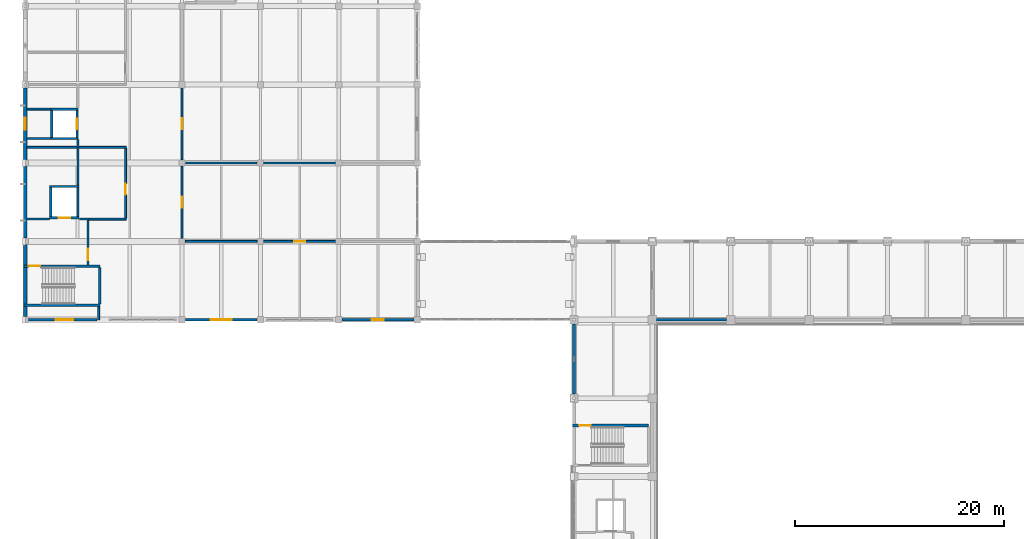
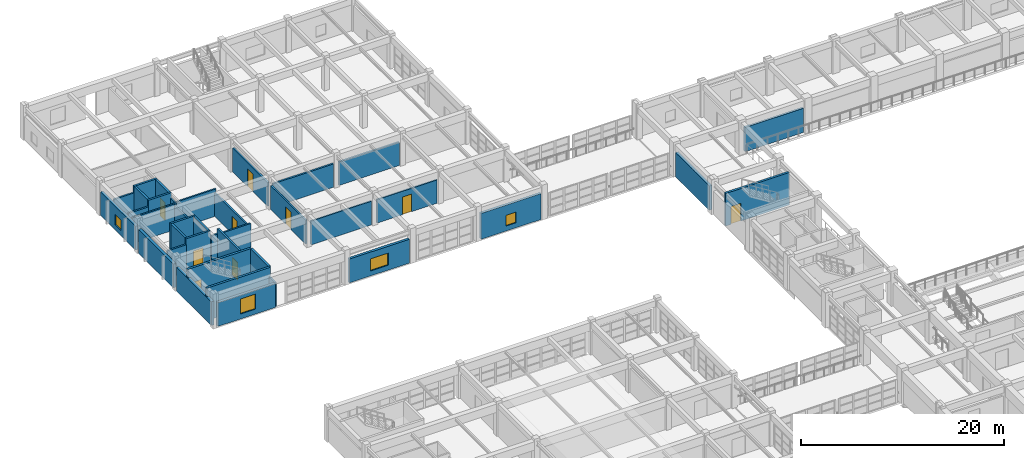
# One storey, part 96 of 124: 38 walls, 9 doors, 4 windows, 13 openings.
"""IFC4 building model written with IfcOpenShell, lengths in metres."""

from ifc_helpers import new_model, si_unit, direction, frame, frame_2d, origin, place, context, subcontext, project, spatial, rectangle, extrude, material, layer, layer_set, type_object, element, fill, save


model = new_model("IFC4")

# Units and contexts
model_context = context("Model", 3, precision=1e-05, world=origin(), true_north=direction((0.0, 1.0)))
body_context = subcontext(model_context, "Body", "Model", "MODEL_VIEW")
ifc_project = project(units=[si_unit("LENGTHUNIT", "METRE"), si_unit("AREAUNIT", "SQUARE_METRE"), si_unit("VOLUMEUNIT", "CUBIC_METRE"), si_unit("PLANEANGLEUNIT", "RADIAN"), si_unit("MASSUNIT", "GRAM", prefix="KILO")], contexts=[model_context])

# Site, building, storey
site_placement = place(None, origin())
site = spatial("IfcSite", under=ifc_project, at=site_placement, CompositionType="ELEMENT")
building_placement = place(site_placement, origin())
building = spatial("IfcBuilding", under=site, at=building_placement, Name="Qasida Concert Hall", CompositionType="ELEMENT")
storey_placement = place(building_placement, frame((0.0, 0.0, 9.0)))
storey = spatial("IfcBuildingStorey", under=building, at=storey_placement, Name="L02", CompositionType="ELEMENT", Elevation=9.0)

# Walls
ifc_material_1 = material(Name="Concrete C40/50", Category="concrete")
ifc_layer_1 = layer(ifc_material_1, 0.219970703125, Name="Concrete C40/50")
ifc_layer_set_1 = layer_set([ifc_layer_1], Name="Concrete C40/50")
wall_type_1 = type_object("IfcWallType", Name="WL-CW-220", PredefinedType="SOLIDWALL", material=ifc_layer_set_1)
for number, where, z_axis, x_axis, name in (
    (1, (2.43994140625, 92.35009765625, 0.0), (0.0, 0.0, 1.0), (1.0, 0.0, 0.0), "L02 LF-07 lift shaft wall S"),
    (2, (2.43994140625, 95.14990234375, 0.0), (0.0, 0.0, 1.0), (1.0, 0.0, 0.0), "L02 LF-07 lift shaft wall N"),
):
    element("IfcWall", number, at=place(storey_placement, frame(where, z_axis=z_axis, x_axis=x_axis)), inside=storey, type_object=wall_type_1, Name=name, PredefinedType="SOLIDWALL", context=body_context, shape_type="SweptSolid", body=[
        extrude(rectangle(XDim=2.6201171875, YDim=0.219970703125, at=frame_2d((1.31005859375, 0.0))), origin(), (0.0, 0.0, 1.0), 3.919921875),
    ])
wall_1_placement = place(storey_placement, frame((2.550048828125, 92.4599609375, 0.0), z_axis=(0.0, 0.0, 1.0), x_axis=(0.0, 1.0, 0.0)))
element("IfcWall", 3, at=wall_1_placement, inside=storey, type_object=wall_type_1, Name="L02 LF-07 lift shaft wall W", PredefinedType="SOLIDWALL", context=body_context, shape_type="SweptSolid", body=[
    extrude(rectangle(XDim=2.580078125, YDim=0.219970703125, at=frame_2d((1.2900390625, 0.0))), origin(), (0.0, 0.0, 1.0), 3.919921875),
])

# Wall, opening, door
wall_2_placement = place(storey_placement, frame((4.949951171875, 92.4599609375, 0.0), z_axis=(0.0, 0.0, 1.0), x_axis=(0.0, 1.0, 0.0)))
wall_2 = element("IfcWall", 4, at=wall_2_placement, inside=storey, type_object=wall_type_1, Name="L02 LF-07 lift shaft wall E", PredefinedType="SOLIDWALL", context=body_context, shape_type="SweptSolid", body=[
    extrude(rectangle(XDim=2.580078125, YDim=0.219970703125, at=frame_2d((1.2900390625, 0.0))), origin(), (0.0, 0.0, 1.0), 3.919921875),
])
opening_1_placement = place(wall_2_placement, frame((0.7900390625, 0.0, 0.0)))
opening_1 = element("IfcOpeningElement", 5, at=opening_1_placement, cuts=wall_2, Name="Opening LD-100", PredefinedType="OPENING", context=body_context, shape_type="SweptSolid", body=[
    extrude(rectangle(XDim=1.0, YDim=2.14990234375, at=frame_2d((0.5, 1.074951171875))), frame((0.0, 0.119873046875, 0.0), z_axis=(0.0, -1.0, 0.0), x_axis=(1.0, 0.0, 0.0)), (0.0, 0.0, 1.0), 0.239990234375),
])
ifc_material_2 = material(Name="Brushed bronze passenger lift landing door", Category="steel")
door_type_1 = type_object("IfcDoorType", Name="LD-100", OperationType="SLIDING_TO_LEFT", PredefinedType="DOOR", material=ifc_material_2)
door_1_placement = place(opening_1_placement, origin())
door_1 = element("IfcDoor", 6, at=door_1_placement, inside=storey, type_object=door_type_1, Name="Lift landing door LF-07 L02", OperationType="SLIDING_TO_LEFT", OverallHeight=2.14990234375, OverallWidth=1.0, PredefinedType="DOOR", context=body_context, shape_type="SweptSolid", body=[
    extrude(rectangle(XDim=1.0, YDim=2.14990234375, at=frame_2d((0.5, 1.074951171875))), frame((0.0, 0.02490234375, 0.0), z_axis=(0.0, -1.0, 0.0), x_axis=(1.0, 0.0, 0.0)), (0.0, 0.0, 1.0), 0.050048828125),
])
fill(opening_1, door_1)

wall_3_placement = place(storey_placement, frame((2.340087890625, 84.75, 0.0), z_axis=(0.0, 0.0, 1.0), x_axis=(1.0, 0.0, 0.0)))
wall_3 = element("IfcWall", 7, at=wall_3_placement, inside=storey, type_object=wall_type_1, Name="L02 LF-08 lift shaft wall S", PredefinedType="SOLIDWALL", context=body_context, shape_type="SweptSolid", body=[
    extrude(rectangle(XDim=2.81982421875, YDim=0.219970703125, at=frame_2d((1.409912109375, 0.0))), origin(), (0.0, 0.0, 1.0), 3.919921875),
])
opening_2_placement = place(wall_3_placement, frame((0.860107421875, 0.0, 0.0)))
opening_2 = element("IfcOpeningElement", 8, at=opening_2_placement, cuts=wall_3, Name="Opening LD-110", PredefinedType="OPENING", context=body_context, shape_type="SweptSolid", body=[
    extrude(rectangle(XDim=1.10009765625, YDim=2.14990234375, at=frame_2d((0.550048828125, 1.074951171875))), frame((0.0, 0.119873046875, 0.0), z_axis=(0.0, -1.0, 0.0), x_axis=(1.0, 0.0, 0.0)), (0.0, 0.0, 1.0), 0.239990234375),
])
ifc_material_3 = material(Name="Firefighting lift sliding landing door", Category="steel")
door_type_2 = type_object("IfcDoorType", Name="LD-110", OperationType="SLIDING_TO_LEFT", PredefinedType="DOOR", material=ifc_material_3)
door_2_placement = place(opening_2_placement, origin())
door_2 = element("IfcDoor", 9, at=door_2_placement, inside=storey, type_object=door_type_2, Name="Lift landing door LF-08 L02", OperationType="SLIDING_TO_LEFT", OverallHeight=2.14990234375, OverallWidth=1.10009765625, PredefinedType="DOOR", context=body_context, shape_type="SweptSolid", body=[
    extrude(rectangle(XDim=1.10009765625, YDim=2.14990234375, at=frame_2d((0.550048828125, 1.074951171875))), frame((0.0, 0.02490234375, 0.0), z_axis=(0.0, -1.0, 0.0), x_axis=(1.0, 0.0, 0.0)), (0.0, 0.0, 1.0), 0.050048828125),
])
fill(opening_2, door_2)

# Walls
wall_4_placement = place(storey_placement, frame((2.340087890625, 87.75, 0.0), z_axis=(0.0, 0.0, 1.0), x_axis=(1.0, 0.0, 0.0)))
element("IfcWall", 10, at=wall_4_placement, inside=storey, type_object=wall_type_1, Name="L02 LF-08 lift shaft wall N", PredefinedType="SOLIDWALL", context=body_context, shape_type="SweptSolid", body=[
    extrude(rectangle(XDim=2.81982421875, YDim=0.219970703125, at=frame_2d((1.409912109375, 0.0))), origin(), (0.0, 0.0, 1.0), 3.919921875),
])
for number, where, z_axis, x_axis, name in (
    (11, (2.449951171875, 84.860107421875, 0.0), (0.0, 0.0, 1.0), (0.0, 1.0, 0.0), "L02 LF-08 lift shaft wall W"),
    (12, (5.050048828125, 84.860107421875, 0.0), (0.0, 0.0, 1.0), (0.0, 1.0, 0.0), "L02 LF-08 lift shaft wall E"),
):
    element("IfcWall", number, at=place(storey_placement, frame(where, z_axis=z_axis, x_axis=x_axis)), inside=storey, type_object=wall_type_1, Name=name, PredefinedType="SOLIDWALL", context=body_context, shape_type="SweptSolid", body=[
        extrude(rectangle(XDim=2.77978515625, YDim=0.219970703125, at=frame_2d((1.389892578125, 0.0))), origin(), (0.0, 0.0, 1.0), 3.919921875),
    ])

# Wall, opening, door
wall_5_placement = place(storey_placement, frame((6.0, 80.260009765625, 0.0), z_axis=(0.0, 0.0, 1.0), x_axis=(0.0, 1.0, 0.0)))
wall_5 = element("IfcWall", 13, at=wall_5_placement, inside=storey, type_object=wall_type_1, Name="L02 LF-08 firefighting lobby wall", PredefinedType="SOLIDWALL", context=body_context, shape_type="SweptSolid", body=[
    extrude(rectangle(XDim=4.369873046875, YDim=0.219970703125, at=frame_2d((2.18505859375, 0.0))), origin(), (0.0, 0.0, 1.0), 3.919921875),
])
opening_3_placement = place(wall_5_placement, frame((0.449951171875, 0.0, 0.0)))
opening_3 = element("IfcOpeningElement", 14, at=opening_3_placement, cuts=wall_5, Name="Opening FD-110", PredefinedType="OPENING", context=body_context, shape_type="SweptSolid", body=[
    extrude(rectangle(XDim=1.10009765625, YDim=2.14990234375, at=frame_2d((0.550048828125, 1.074951171875))), frame((0.0, 0.119873046875, 0.0), z_axis=(0.0, -1.0, 0.0), x_axis=(1.0, 0.0, 0.0)), (0.0, 0.0, 1.0), 0.239990234375),
])
ifc_material_4 = material(Name="Steel fire-rated stair/lobby door set", Category="steel")
door_type_3 = type_object("IfcDoorType", Name="FD-110", OperationType="NOTDEFINED", PredefinedType="DOOR", material=ifc_material_4)
door_3_placement = place(opening_3_placement, origin())
door_3 = element("IfcDoor", 15, at=door_3_placement, inside=storey, type_object=door_type_3, Name="L02 LF-08 firefighting lobby fire door", OperationType="SINGLE_SWING_LEFT", OverallHeight=2.14990234375, OverallWidth=1.10009765625, PredefinedType="DOOR", context=body_context, shape_type="SweptSolid", body=[
    extrude(rectangle(XDim=1.10009765625, YDim=2.14990234375, at=frame_2d((0.550048828125, 1.074951171875))), frame((0.0, 0.02490234375, 0.0), z_axis=(0.0, -1.0, 0.0), x_axis=(1.0, 0.0, 0.0)), (0.0, 0.0, 1.0), 0.050048828125),
])
fill(opening_3, door_3)

# Wall
ifc_layer_2 = layer(ifc_material_1, 0.25, Name="Concrete C40/50")
ifc_layer_set_2 = layer_set([ifc_layer_2], Name="Concrete C40/50")
wall_type_2 = type_object("IfcWallType", Name="WL-CW-250", PredefinedType="SOLIDWALL", material=ifc_layer_set_2)
wall_6_placement = place(storey_placement, frame((-0.1201171875, 76.375, 0.0), z_axis=(0.0, 0.0, 1.0), x_axis=(1.0, 0.0, 0.0)))
element("IfcWall", 16, at=wall_6_placement, inside=storey, type_object=wall_type_2, Name="L02 ST-05 stairwell wall S", PredefinedType="SOLIDWALL", context=body_context, shape_type="SweptSolid", body=[
    extrude(rectangle(XDim=7.260009765625, YDim=0.25, at=frame_2d((3.6298828125, 0.0))), origin(), (0.0, 0.0, 1.0), 3.919921875),
])

# Wall, opening, door
wall_7_placement = place(storey_placement, frame((-0.1201171875, 80.125, 0.0), z_axis=(0.0, 0.0, 1.0), x_axis=(1.0, 0.0, 0.0)))
wall_7 = element("IfcWall", 17, at=wall_7_placement, inside=storey, type_object=wall_type_2, Name="L02 ST-05 stairwell wall N", PredefinedType="SOLIDWALL", context=body_context, shape_type="SweptSolid", body=[
    extrude(rectangle(XDim=7.260009765625, YDim=0.25, at=frame_2d((3.6298828125, 0.0))), origin(), (0.0, 0.0, 1.0), 3.919921875),
])
opening_4_placement = place(wall_7_placement, frame((0.449951171875, 0.0, 0.0)))
opening_4 = element("IfcOpeningElement", 18, at=opening_4_placement, cuts=wall_7, Name="Opening FD-110", PredefinedType="OPENING", context=body_context, shape_type="SweptSolid", body=[
    extrude(rectangle(XDim=1.10009765625, YDim=2.14990234375, at=frame_2d((0.550048828125, 1.074951171875))), frame((0.0, 0.135009765625, 0.0), z_axis=(0.0, -1.0, 0.0), x_axis=(1.0, 0.0, 0.0)), (0.0, 0.0, 1.0), 0.27001953125),
])
door_4_placement = place(opening_4_placement, origin())
door_4 = element("IfcDoor", 19, at=door_4_placement, inside=storey, type_object=door_type_3, Name="L02 ST-05 rated stair door", OperationType="SINGLE_SWING_RIGHT", OverallHeight=2.14990234375, OverallWidth=1.10009765625, PredefinedType="DOOR", context=body_context, shape_type="SweptSolid", body=[
    extrude(rectangle(XDim=1.10009765625, YDim=2.14990234375, at=frame_2d((0.550048828125, 1.074951171875))), frame((0.0, 0.02490234375, 0.0), z_axis=(0.0, -1.0, 0.0), x_axis=(1.0, 0.0, 0.0)), (0.0, 0.0, 1.0), 0.050048828125),
])
fill(opening_4, door_4)

# Wall
wall_8_placement = place(storey_placement, frame((7.14501953125, 76.5, 0.0), z_axis=(0.0, 0.0, 1.0), x_axis=(0.0, 1.0, 0.0)))
element("IfcWall", 20, at=wall_8_placement, inside=storey, type_object=wall_type_2, Name="L02 ST-05 stairwell wall E", PredefinedType="SOLIDWALL", context=body_context, shape_type="SweptSolid", body=[
    extrude(rectangle(XDim=3.5, YDim=0.25, at=frame_2d((1.75, 0.0))), origin(), (0.0, 0.0, 1.0), 3.919921875),
])

# Wall, opening, door
wall_9_placement = place(storey_placement, frame((52.3798828125, 64.885009765625, 0.0), z_axis=(0.0, 0.0, 1.0), x_axis=(1.0, 0.0, 0.0)))
wall_9 = element("IfcWall", 21, at=wall_9_placement, inside=storey, type_object=wall_type_2, Name="L02 ST-11 stairwell wall N", PredefinedType="SOLIDWALL", context=body_context, shape_type="SweptSolid", body=[
    extrude(rectangle(XDim=7.260009765625, YDim=0.25, at=frame_2d((3.6298828125, 0.0))), origin(), (0.0, 0.0, 1.0), 3.919921875),
])
opening_5_placement = place(wall_9_placement, frame((0.6201171875, 0.0, 0.0)))
opening_5 = element("IfcOpeningElement", 22, at=opening_5_placement, cuts=wall_9, Name="Opening FD-110", PredefinedType="OPENING", context=body_context, shape_type="SweptSolid", body=[
    extrude(rectangle(XDim=1.10009765625, YDim=2.14990234375, at=frame_2d((0.550048828125, 1.074951171875))), frame((0.0, 0.135009765625, 0.0), z_axis=(0.0, -1.0, 0.0), x_axis=(1.0, 0.0, 0.0)), (0.0, 0.0, 1.0), 0.27001953125),
])
door_5_placement = place(opening_5_placement, frame((1.10009765625, 0.0, 0.0), z_axis=(0.0, 0.0, 1.0), x_axis=(-1.0, 0.0, 0.0)))
door_5 = element("IfcDoor", 23, at=door_5_placement, inside=storey, type_object=door_type_3, Name="L02 ST-11 rated stair door", OperationType="SINGLE_SWING_RIGHT", OverallHeight=2.14990234375, OverallWidth=1.10009765625, PredefinedType="DOOR", context=body_context, shape_type="SweptSolid", body=[
    extrude(rectangle(XDim=1.10009765625, YDim=2.14990234375, at=frame_2d((0.550048828125, 1.074951171875))), frame((0.0, 0.02490234375, 0.0), z_axis=(0.0, -1.0, 0.0), x_axis=(1.0, 0.0, 0.0)), (0.0, 0.0, 1.0), 0.050048828125),
])
fill(opening_5, door_5)

# Wall, opening, window
ifc_material_5 = material(Name="Precast concrete C40/50", Category="concrete")
ifc_layer_3 = layer(ifc_material_5, 0.280029296875, Name="Precast concrete C40/50")
ifc_layer_set_3 = layer_set([ifc_layer_3], Name="Precast concrete C40/50")
wall_type_3 = type_object("IfcWallType", Name="WL-EW-280", PredefinedType="SOLIDWALL", material=ifc_layer_set_3)
wall_10_placement = place(storey_placement, frame((0.31494140625, 75.0, 0.0), z_axis=(0.0, 0.0, 1.0), x_axis=(1.0, 0.0, 0.0)))
wall_10 = element("IfcWall", 24, at=wall_10_placement, inside=storey, type_object=wall_type_3, Name="L02 exterior wall EW-280 0260", PredefinedType="SOLIDWALL", context=body_context, shape_type="SweptSolid", body=[
    extrude(rectangle(XDim=6.56494140625, YDim=0.280029296875, at=frame_2d((3.282470703125, 0.0))), origin(), (0.0, 0.0, 1.0), 2.8701171875),
])
opening_6_placement = place(wall_10_placement, frame((2.5849609375, 0.0, 0.60009765625)))
opening_6 = element("IfcOpeningElement", 25, at=opening_6_placement, cuts=wall_10, Name="Opening WN-05", PredefinedType="OPENING", context=body_context, shape_type="SweptSolid", body=[
    extrude(rectangle(XDim=1.699951171875, YDim=1.800048828125, at=frame_2d((0.85009765625, 0.89990234375))), frame((0.0, 0.14990234375, 0.0), z_axis=(0.0, -1.0, 0.0), x_axis=(1.0, 0.0, 0.0)), (0.0, 0.0, 1.0), 0.300048828125),
])
ifc_material_6 = material(Name="Bronze-anodized aluminium frame with acoustic low-E glazing", Category="aluminium")
window_type_1 = type_object("IfcWindowType", Name="WN-05", PartitioningType="SINGLE_PANEL", PredefinedType="WINDOW", material=ifc_material_6)
window_1_placement = place(opening_6_placement, origin())
window_1 = element("IfcWindow", 26, at=window_1_placement, inside=storey, type_object=window_type_1, Name="L02 window WN-05 0134", OverallHeight=1.800048828125, OverallWidth=1.699951171875, PartitioningType="SINGLE_PANEL", PredefinedType="WINDOW", context=body_context, shape_type="SweptSolid", body=[
    extrude(rectangle(XDim=1.699951171875, YDim=1.800048828125, at=frame_2d((0.85009765625, 0.89990234375))), frame((0.0, 0.030029296875, 0.0), z_axis=(0.0, -1.0, 0.0), x_axis=(1.0, 0.0, 0.0)), (0.0, 0.0, 1.0), 0.06005859375),
])
fill(opening_6, window_1)

wall_11_placement = place(storey_placement, frame((15.31494140625, 75.0, 0.0), z_axis=(0.0, 0.0, 1.0), x_axis=(1.0, 0.0, 0.0)))
wall_11 = element("IfcWall", 27, at=wall_11_placement, inside=storey, type_object=wall_type_3, Name="L02 exterior wall EW-280 0263", PredefinedType="SOLIDWALL", context=body_context, shape_type="SweptSolid", body=[
    extrude(rectangle(XDim=6.8701171875, YDim=0.280029296875, at=frame_2d((3.43505859375, 0.0))), origin(), (0.0, 0.0, 1.0), 2.8701171875),
])
opening_7_placement = place(wall_11_placement, frame((2.43505859375, 0.0, 0.60009765625)))
opening_7 = element("IfcOpeningElement", 28, at=opening_7_placement, cuts=wall_11, Name="Opening WN-07", PredefinedType="OPENING", context=body_context, shape_type="SweptSolid", body=[
    extrude(rectangle(XDim=2.0, YDim=1.449951171875, at=frame_2d((1.0, 0.72509765625))), frame((0.0, 0.14990234375, 0.0), z_axis=(0.0, -1.0, 0.0), x_axis=(1.0, 0.0, 0.0)), (0.0, 0.0, 1.0), 0.300048828125),
])
window_type_2 = type_object("IfcWindowType", Name="WN-07", PartitioningType="SINGLE_PANEL", PredefinedType="WINDOW", material=ifc_material_6)
window_2_placement = place(opening_7_placement, origin())
window_2 = element("IfcWindow", 29, at=window_2_placement, inside=storey, type_object=window_type_2, Name="L02 window WN-07 0136", OverallHeight=1.449951171875, OverallWidth=2.0, PartitioningType="SINGLE_PANEL", PredefinedType="WINDOW", context=body_context, shape_type="SweptSolid", body=[
    extrude(rectangle(XDim=2.0, YDim=1.449951171875, at=frame_2d((1.0, 0.72509765625))), frame((0.0, 0.030029296875, 0.0), z_axis=(0.0, -1.0, 0.0), x_axis=(1.0, 0.0, 0.0)), (0.0, 0.0, 1.0), 0.06005859375),
])
fill(opening_7, window_2)

wall_12_placement = place(storey_placement, frame((30.31494140625, 75.0, 0.0), z_axis=(0.0, 0.0, 1.0), x_axis=(1.0, 0.0, 0.0)))
wall_12 = element("IfcWall", 30, at=wall_12_placement, inside=storey, type_object=wall_type_3, Name="L02 exterior wall EW-280 0266", PredefinedType="SOLIDWALL", context=body_context, shape_type="SweptSolid", body=[
    extrude(rectangle(XDim=6.8701171875, YDim=0.280029296875, at=frame_2d((3.43505859375, 0.0))), origin(), (0.0, 0.0, 1.0), 3.1201171875),
])
opening_8_placement = place(wall_12_placement, frame((2.860107421875, 0.0, 0.60009765625)))
opening_8 = element("IfcOpeningElement", 31, at=opening_8_placement, cuts=wall_12, Name="Opening WN-09", PredefinedType="OPENING", context=body_context, shape_type="SweptSolid", body=[
    extrude(rectangle(XDim=1.14990234375, YDim=1.300048828125, at=frame_2d((0.574951171875, 0.64990234375))), frame((0.0, 0.14990234375, 0.0), z_axis=(0.0, -1.0, 0.0), x_axis=(1.0, 0.0, 0.0)), (0.0, 0.0, 1.0), 0.300048828125),
])
window_type_3 = type_object("IfcWindowType", Name="WN-09", PartitioningType="SINGLE_PANEL", PredefinedType="WINDOW", material=ifc_material_6)
window_3_placement = place(opening_8_placement, origin())
window_3 = element("IfcWindow", 32, at=window_3_placement, inside=storey, type_object=window_type_3, Name="L02 window WN-09 0139", OverallHeight=1.300048828125, OverallWidth=1.14990234375, PartitioningType="SINGLE_PANEL", PredefinedType="WINDOW", context=body_context, shape_type="SweptSolid", body=[
    extrude(rectangle(XDim=1.14990234375, YDim=1.300048828125, at=frame_2d((0.574951171875, 0.64990234375))), frame((0.0, 0.030029296875, 0.0), z_axis=(0.0, -1.0, 0.0), x_axis=(1.0, 0.0, 0.0)), (0.0, 0.0, 1.0), 0.06005859375),
])
fill(opening_8, window_3)

ifc_layer_4 = layer(ifc_material_5, 0.300048828125, Name="Precast concrete C40/50")
ifc_layer_set_4 = layer_set([ifc_layer_4], Name="Precast concrete C40/50")
wall_type_4 = type_object("IfcWallType", Name="WL-EW-300", PredefinedType="SOLIDWALL", material=ifc_layer_set_4)
wall_13_placement = place(storey_placement, frame((0.0, 90.304931640625, 0.0), z_axis=(0.0, 0.0, 1.0), x_axis=(0.0, 1.0, 0.0)))
wall_13 = element("IfcWall", 33, at=wall_13_placement, inside=storey, type_object=wall_type_4, Name="L02 exterior wall EW-300 0269", PredefinedType="SOLIDWALL", context=body_context, shape_type="SweptSolid", body=[
    extrude(rectangle(XDim=6.89013671875, YDim=0.300048828125, at=frame_2d((3.445068359375, 0.0))), origin(), (0.0, 0.0, 1.0), 2.8701171875),
])
opening_9_placement = place(wall_13_placement, frame((2.8701171875, 0.0, 0.60009765625)))
opening_9 = element("IfcOpeningElement", 34, at=opening_9_placement, cuts=wall_13, Name="Opening WN-09", PredefinedType="OPENING", context=body_context, shape_type="SweptSolid", body=[
    extrude(rectangle(XDim=1.14990234375, YDim=1.300048828125, at=frame_2d((0.574951171875, 0.64990234375))), frame((0.0, 0.159912109375, 0.0), z_axis=(0.0, -1.0, 0.0), x_axis=(1.0, 0.0, 0.0)), (0.0, 0.0, 1.0), 0.320068359375),
])
window_4_placement = place(opening_9_placement, origin())
window_4 = element("IfcWindow", 35, at=window_4_placement, inside=storey, type_object=window_type_3, Name="L02 window WN-09 0140", OverallHeight=1.300048828125, OverallWidth=1.14990234375, PartitioningType="SINGLE_PANEL", PredefinedType="WINDOW", context=body_context, shape_type="SweptSolid", body=[
    extrude(rectangle(XDim=1.14990234375, YDim=1.300048828125, at=frame_2d((0.574951171875, 0.64990234375))), frame((0.0, 0.030029296875, 0.0), z_axis=(0.0, -1.0, 0.0), x_axis=(1.0, 0.0, 0.0)), (0.0, 0.0, 1.0), 0.06005859375),
])
fill(opening_9, window_4)

# Walls
ifc_layer_5 = layer(ifc_material_5, 0.320068359375, Name="Precast concrete C40/50")
ifc_layer_set_5 = layer_set([ifc_layer_5], Name="Precast concrete C40/50")
wall_type_5 = type_object("IfcWallType", Name="WL-EW-320", PredefinedType="SOLIDWALL", material=ifc_layer_set_5)
wall_14_placement = place(storey_placement, frame((52.5, 67.9150390625, 0.0), z_axis=(0.0, 0.0, 1.0), x_axis=(0.0, 1.0, 0.0)))
element("IfcWall", 36, at=wall_14_placement, inside=storey, type_object=wall_type_5, Name="L02 exterior wall EW-320 0052", PredefinedType="SOLIDWALL", context=body_context, shape_type="SweptSolid", body=[
    extrude(rectangle(XDim=6.669921875, YDim=0.320068359375, at=frame_2d((3.3349609375, 0.0))), origin(), (0.0, 0.0, 1.0), 2.919921875),
])
for number, where, z_axis, x_axis, name in (
    (37, (0.0, 75.304931640625, 0.0), (0.0, 0.0, 1.0), (0.0, 1.0, 0.0), "L02 exterior wall EW-320 0267"),
    (38, (0.0, 82.804931640625, 0.0), (0.0, 0.0, 1.0), (0.0, 1.0, 0.0), "L02 exterior wall EW-320 0268"),
):
    element("IfcWall", number, at=place(storey_placement, frame(where, z_axis=z_axis, x_axis=x_axis)), inside=storey, type_object=wall_type_5, Name=name, PredefinedType="SOLIDWALL", context=body_context, shape_type="SweptSolid", body=[
        extrude(rectangle(XDim=6.89013671875, YDim=0.320068359375, at=frame_2d((3.445068359375, 0.0))), origin(), (0.0, 0.0, 1.0), 2.8701171875),
    ])
ifc_material_7 = material(Name="Acoustic metal-stud gypsum partition", Category="gypsum")
ifc_layer_6 = layer(ifc_material_7, 0.179931640625, Name="Acoustic metal-stud gypsum partition")
ifc_layer_set_6 = layer_set([ifc_layer_6], Name="Acoustic metal-stud gypsum partition")
wall_type_6 = type_object("IfcWallType", Name="WL-PW-180", PredefinedType="PARTITIONING", material=ifc_layer_set_6)
wall_15_placement = place(storey_placement, frame((7.02001953125, 75.0, 0.0), z_axis=(0.0, 0.0, 1.0), x_axis=(0.0, 1.0, 0.0)))
element("IfcWall", 39, at=wall_15_placement, inside=storey, type_object=wall_type_6, Name="L02 partition PW-180 0302", PredefinedType="PARTITIONING", context=body_context, shape_type="SweptSolid", body=[
    extrude(rectangle(XDim=1.236083984375, YDim=0.179931640625, at=frame_2d((0.6181640625, 0.0))), origin(), (0.0, 0.0, 1.0), 2.8701171875),
])
wall_16_placement = place(storey_placement, frame((5.050048828125, 87.8740234375, 0.0), z_axis=(0.0, 0.0, 1.0), x_axis=(0.0, 1.0, 0.0)))
element("IfcWall", 40, at=wall_16_placement, inside=storey, type_object=wall_type_6, Name="L02 partition PW-180 0303", PredefinedType="PARTITIONING", context=body_context, shape_type="SweptSolid", body=[
    extrude(rectangle(XDim=3.6259765625, YDim=0.179931640625, at=frame_2d((1.81298828125, 0.0))), origin(), (0.0, 0.0, 1.0), 2.8701171875),
])
wall_17_placement = place(storey_placement, frame((6.1240234375, 84.6298828125, 0.0), z_axis=(0.0, 0.0, 1.0), x_axis=(1.0, 0.0, 0.0)))
element("IfcWall", 41, at=wall_17_placement, inside=storey, type_object=wall_type_6, Name="L02 partition PW-180 0304", PredefinedType="PARTITIONING", context=body_context, shape_type="SweptSolid", body=[
    extrude(rectangle(XDim=3.555908203125, YDim=0.179931640625, at=frame_2d((1.77783203125, 0.0))), origin(), (0.0, 0.0, 1.0), 3.27001953125),
])
wall_18_placement = place(storey_placement, frame((0.1640625, 91.5, 0.0), z_axis=(0.0, 0.0, 1.0), x_axis=(1.0, 0.0, 0.0)))
element("IfcWall", 42, at=wall_18_placement, inside=storey, type_object=wall_type_6, Name="L02 partition PW-180 0305", PredefinedType="PARTITIONING", context=body_context, shape_type="SweptSolid", body=[
    extrude(rectangle(XDim=4.781982421875, YDim=0.179931640625, at=frame_2d((2.39111328125, 0.0))), origin(), (0.0, 0.0, 1.0), 3.1201171875),
])
wall_19_placement = place(storey_placement, frame((5.154052734375, 91.5, 0.0), z_axis=(0.0, 0.0, 1.0), x_axis=(1.0, 0.0, 0.0)))
element("IfcWall", 43, at=wall_19_placement, inside=storey, type_object=wall_type_6, Name="L02 partition PW-180 0306", PredefinedType="PARTITIONING", context=body_context, shape_type="SweptSolid", body=[
    extrude(rectangle(XDim=4.52587890625, YDim=0.179931640625, at=frame_2d((2.262939453125, 0.0))), origin(), (0.0, 0.0, 1.0), 3.27001953125),
])

# Wall, opening, door
wall_20_placement = place(storey_placement, frame((9.60009765625, 84.73388671875, 0.0), z_axis=(0.0, 0.0, 1.0), x_axis=(0.0, 1.0, 0.0)))
wall_20 = element("IfcWall", 44, at=wall_20_placement, inside=storey, type_object=wall_type_6, Name="L02 partition PW-180 0307", PredefinedType="PARTITIONING", context=body_context, shape_type="SweptSolid", body=[
    extrude(rectangle(XDim=6.662109375, YDim=0.179931640625, at=frame_2d((3.3310546875, 0.0))), origin(), (0.0, 0.0, 1.0), 2.8701171875),
])
opening_10_placement = place(wall_20_placement, frame((2.240966796875, 0.0, 0.0)))
opening_10 = element("IfcOpeningElement", 45, at=opening_10_placement, cuts=wall_20, Name="Opening ID-105", PredefinedType="OPENING", context=body_context, shape_type="SweptSolid", body=[
    extrude(rectangle(XDim=1.050048828125, YDim=2.1201171875, at=frame_2d((0.52490234375, 1.06005859375))), frame((0.0, 0.099853515625, 0.0), z_axis=(0.0, -1.0, 0.0), x_axis=(1.0, 0.0, 0.0)), (0.0, 0.0, 1.0), 0.199951171875),
])
ifc_material_8 = material(Name="Quarter-sawn oak practice studio door", Category="wood")
door_type_4 = type_object("IfcDoorType", Name="ID-105", OperationType="NOTDEFINED", PredefinedType="DOOR", material=ifc_material_8)
door_6_placement = place(opening_10_placement, origin())
door_6 = element("IfcDoor", 46, at=door_6_placement, inside=storey, type_object=door_type_4, Name="L02 Soloist practice booth door", OperationType="SINGLE_SWING_LEFT", OverallHeight=2.1201171875, OverallWidth=1.050048828125, PredefinedType="DOOR", context=body_context, shape_type="SweptSolid", body=[
    extrude(rectangle(XDim=1.050048828125, YDim=2.1201171875, at=frame_2d((0.52490234375, 1.06005859375))), frame((0.0, 0.02490234375, 0.0), z_axis=(0.0, -1.0, 0.0), x_axis=(1.0, 0.0, 0.0)), (0.0, 0.0, 1.0), 0.050048828125),
])
fill(opening_10, door_6)

# Walls
for number, where, z_axis, x_axis, name in (
    (47, (0.1640625, 92.35009765625, 0.0), (0.0, 0.0, 1.0), (1.0, 0.0, 0.0), "L02 partition PW-180 0308"),
    (48, (0.1640625, 95.14990234375, 0.0), (0.0, 0.0, 1.0), (1.0, 0.0, 0.0), "L02 partition PW-180 0309"),
):
    element("IfcWall", number, at=place(storey_placement, frame(where, z_axis=z_axis, x_axis=x_axis)), inside=storey, type_object=wall_type_6, Name=name, PredefinedType="PARTITIONING", context=body_context, shape_type="SweptSolid", body=[
        extrude(rectangle(XDim=2.27587890625, YDim=0.179931640625, at=frame_2d((1.137939453125, 0.0))), origin(), (0.0, 0.0, 1.0), 3.1201171875),
    ])
wall_21_placement = place(storey_placement, frame((5.050048828125, 91.5, 0.0), z_axis=(0.0, 0.0, 1.0), x_axis=(0.0, 1.0, 0.0)))
element("IfcWall", 49, at=wall_21_placement, inside=storey, type_object=wall_type_6, Name="L02 partition PW-180 0310", PredefinedType="PARTITIONING", context=body_context, shape_type="SweptSolid", body=[
    extrude(rectangle(XDim=0.72607421875, YDim=0.179931640625, at=frame_2d((0.363037109375, 0.0))), origin(), (0.0, 0.0, 1.0), 3.27001953125),
])
wall_22_placement = place(storey_placement, frame((15.31396484375, 82.5, 0.0), z_axis=(0.0, 0.0, 1.0), x_axis=(1.0, 0.0, 0.0)))
element("IfcWall", 50, at=wall_22_placement, inside=storey, type_object=wall_type_6, Name="L02 partition PW-180 0318", PredefinedType="PARTITIONING", context=body_context, shape_type="SweptSolid", body=[
    extrude(rectangle(XDim=6.8720703125, YDim=0.179931640625, at=frame_2d((3.43603515625, 0.0))), origin(), (0.0, 0.0, 1.0), 2.8701171875),
])

# Wall, opening, door
wall_23_placement = place(storey_placement, frame((22.81396484375, 82.5, 0.0), z_axis=(0.0, 0.0, 1.0), x_axis=(1.0, 0.0, 0.0)))
wall_23 = element("IfcWall", 51, at=wall_23_placement, inside=storey, type_object=wall_type_6, Name="L02 partition PW-180 0319", PredefinedType="PARTITIONING", context=body_context, shape_type="SweptSolid", body=[
    extrude(rectangle(XDim=6.8720703125, YDim=0.179931640625, at=frame_2d((3.43603515625, 0.0))), origin(), (0.0, 0.0, 1.0), 2.820068359375),
])
opening_11_placement = place(wall_23_placement, frame((2.910888671875, 0.0, 0.0)))
opening_11 = element("IfcOpeningElement", 52, at=opening_11_placement, cuts=wall_23, Name="Opening ID-105", PredefinedType="OPENING", context=body_context, shape_type="SweptSolid", body=[
    extrude(rectangle(XDim=1.050048828125, YDim=2.1201171875, at=frame_2d((0.52490234375, 1.06005859375))), frame((0.0, 0.099853515625, 0.0), z_axis=(0.0, -1.0, 0.0), x_axis=(1.0, 0.0, 0.0)), (0.0, 0.0, 1.0), 0.199951171875),
])
door_7_placement = place(opening_11_placement, origin())
door_7 = element("IfcDoor", 53, at=door_7_placement, inside=storey, type_object=door_type_4, Name="L02 L02 south suite bridge door", OperationType="SINGLE_SWING_RIGHT", OverallHeight=2.1201171875, OverallWidth=1.050048828125, PredefinedType="DOOR", context=body_context, shape_type="SweptSolid", body=[
    extrude(rectangle(XDim=1.050048828125, YDim=2.1201171875, at=frame_2d((0.52490234375, 1.06005859375))), frame((0.0, 0.02490234375, 0.0), z_axis=(0.0, -1.0, 0.0), x_axis=(1.0, 0.0, 0.0)), (0.0, 0.0, 1.0), 0.050048828125),
])
fill(opening_11, door_7)

wall_24_placement = place(storey_placement, frame((15.0, 82.81396484375, 0.0), z_axis=(0.0, 0.0, 1.0), x_axis=(0.0, 1.0, 0.0)))
wall_24 = element("IfcWall", 54, at=wall_24_placement, inside=storey, type_object=wall_type_6, Name="L02 partition PW-180 0324", PredefinedType="PARTITIONING", context=body_context, shape_type="SweptSolid", body=[
    extrude(rectangle(XDim=6.8720703125, YDim=0.179931640625, at=frame_2d((3.43603515625, 0.0))), origin(), (0.0, 0.0, 1.0), 2.8701171875),
])
opening_12_placement = place(wall_24_placement, frame((2.910888671875, 0.0, 0.0)))
opening_12 = element("IfcOpeningElement", 55, at=opening_12_placement, cuts=wall_24, Name="Opening ID-105", PredefinedType="OPENING", context=body_context, shape_type="SweptSolid", body=[
    extrude(rectangle(XDim=1.050048828125, YDim=2.1201171875, at=frame_2d((0.52490234375, 1.06005859375))), frame((0.0, 0.099853515625, 0.0), z_axis=(0.0, -1.0, 0.0), x_axis=(1.0, 0.0, 0.0)), (0.0, 0.0, 1.0), 0.199951171875),
])
door_8_placement = place(opening_12_placement, origin())
door_8 = element("IfcDoor", 56, at=door_8_placement, inside=storey, type_object=door_type_4, Name="L02 L02 south suite door", OperationType="SINGLE_SWING_LEFT", OverallHeight=2.1201171875, OverallWidth=1.050048828125, PredefinedType="DOOR", context=body_context, shape_type="SweptSolid", body=[
    extrude(rectangle(XDim=1.050048828125, YDim=2.1201171875, at=frame_2d((0.52490234375, 1.06005859375))), frame((0.0, 0.02490234375, 0.0), z_axis=(0.0, -1.0, 0.0), x_axis=(1.0, 0.0, 0.0)), (0.0, 0.0, 1.0), 0.050048828125),
])
fill(opening_12, door_8)

wall_25_placement = place(storey_placement, frame((15.0, 90.31396484375, 0.0), z_axis=(0.0, 0.0, 1.0), x_axis=(0.0, 1.0, 0.0)))
wall_25 = element("IfcWall", 57, at=wall_25_placement, inside=storey, type_object=wall_type_6, Name="L02 partition PW-180 0325", PredefinedType="PARTITIONING", context=body_context, shape_type="SweptSolid", body=[
    extrude(rectangle(XDim=6.8720703125, YDim=0.179931640625, at=frame_2d((3.43603515625, 0.0))), origin(), (0.0, 0.0, 1.0), 2.8701171875),
])
opening_13_placement = place(wall_25_placement, frame((2.910888671875, 0.0, 0.0)))
opening_13 = element("IfcOpeningElement", 58, at=opening_13_placement, cuts=wall_25, Name="Opening ID-105", PredefinedType="OPENING", context=body_context, shape_type="SweptSolid", body=[
    extrude(rectangle(XDim=1.050048828125, YDim=2.1201171875, at=frame_2d((0.52490234375, 1.06005859375))), frame((0.0, 0.099853515625, 0.0), z_axis=(0.0, -1.0, 0.0), x_axis=(1.0, 0.0, 0.0)), (0.0, 0.0, 1.0), 0.199951171875),
])
door_9_placement = place(opening_13_placement, origin())
door_9 = element("IfcDoor", 59, at=door_9_placement, inside=storey, type_object=door_type_4, Name="L02 L02 north suite door", OperationType="SINGLE_SWING_RIGHT", OverallHeight=2.1201171875, OverallWidth=1.050048828125, PredefinedType="DOOR", context=body_context, shape_type="SweptSolid", body=[
    extrude(rectangle(XDim=1.050048828125, YDim=2.1201171875, at=frame_2d((0.52490234375, 1.06005859375))), frame((0.0, 0.02490234375, 0.0), z_axis=(0.0, -1.0, 0.0), x_axis=(1.0, 0.0, 0.0)), (0.0, 0.0, 1.0), 0.050048828125),
])
fill(opening_13, door_9)

# Walls
ifc_material_9 = material(Name="Acoustic gypsum block and mineral wool", Category="gypsum")
ifc_layer_7 = layer(ifc_material_9, 0.199951171875, Name="Acoustic gypsum block and mineral wool")
ifc_layer_set_7 = layer_set([ifc_layer_7], Name="Acoustic gypsum block and mineral wool")
wall_type_7 = type_object("IfcWallType", Name="WL-PW-200", PredefinedType="PARTITIONING", material=ifc_layer_set_7)
wall_26_placement = place(storey_placement, frame((0.179931640625, 84.6298828125, 0.0), z_axis=(0.0, 0.0, 1.0), x_axis=(1.0, 0.0, 0.0)))
element("IfcWall", 60, at=wall_26_placement, inside=storey, type_object=wall_type_7, Name="L02 LF-08 firefighting lobby return wall", PredefinedType="PARTITIONING", context=body_context, shape_type="SweptSolid", body=[
    extrude(rectangle(XDim=2.14501953125, YDim=0.199951171875, at=frame_2d((1.072509765625, 0.0))), origin(), (0.0, 0.0, 1.0), 3.280029296875),
])
wall_27_placement = place(storey_placement, frame((5.175048828125, 84.6298828125, 0.0), z_axis=(0.0, 0.0, 1.0), x_axis=(1.0, 0.0, 0.0)))
element("IfcWall", 61, at=wall_27_placement, inside=storey, type_object=wall_type_7, Name="L02 LF-08 firefighting lobby return wall", PredefinedType="PARTITIONING", context=body_context, shape_type="SweptSolid", body=[
    extrude(rectangle(XDim=0.93505859375, YDim=0.199951171875, at=frame_2d((0.467529296875, 0.0))), origin(), (0.0, 0.0, 1.0), 3.330078125),
])
for number, where, z_axis, x_axis, name in (
    (62, (15.31396484375, 90.0, 0.0), (0.0, 0.0, 1.0), (1.0, 0.0, 0.0), "L02 partition PW-200 0321"),
    (63, (22.81396484375, 90.0, 0.0), (0.0, 0.0, 1.0), (1.0, 0.0, 0.0), "L02 partition PW-200 0322"),
):
    element("IfcWall", number, at=place(storey_placement, frame(where, z_axis=z_axis, x_axis=x_axis)), inside=storey, type_object=wall_type_7, Name=name, PredefinedType="PARTITIONING", context=body_context, shape_type="SweptSolid", body=[
        extrude(rectangle(XDim=6.8720703125, YDim=0.199951171875, at=frame_2d((3.43603515625, 0.0))), origin(), (0.0, 0.0, 1.0), 2.820068359375),
    ])
ifc_material_10 = material(Name="Double-stud acoustic gypsum and mineral wool", Category="gypsum")
ifc_layer_8 = layer(ifc_material_10, 0.239990234375, Name="Double-stud acoustic gypsum and mineral wool")
ifc_layer_set_8 = layer_set([ifc_layer_8], Name="Double-stud acoustic gypsum and mineral wool")
wall_type_8 = type_object("IfcWallType", Name="WL-PW-240", PredefinedType="PARTITIONING", material=ifc_layer_set_8)
wall_28_placement = place(storey_placement, frame((60.4140625, 75.0, 0.0), z_axis=(0.0, 0.0, 1.0), x_axis=(1.0, 0.0, 0.0)))
element("IfcWall", 64, at=wall_28_placement, inside=storey, type_object=wall_type_8, Name="L02 partition PW-240 0473", PredefinedType="PARTITIONING", context=body_context, shape_type="SweptSolid", body=[
    extrude(rectangle(XDim=6.671875, YDim=0.239990234375, at=frame_2d((3.3359375, 0.0))), origin(), (0.0, 0.0, 1.0), 2.919921875),
])

save(model, "model.ifc")
